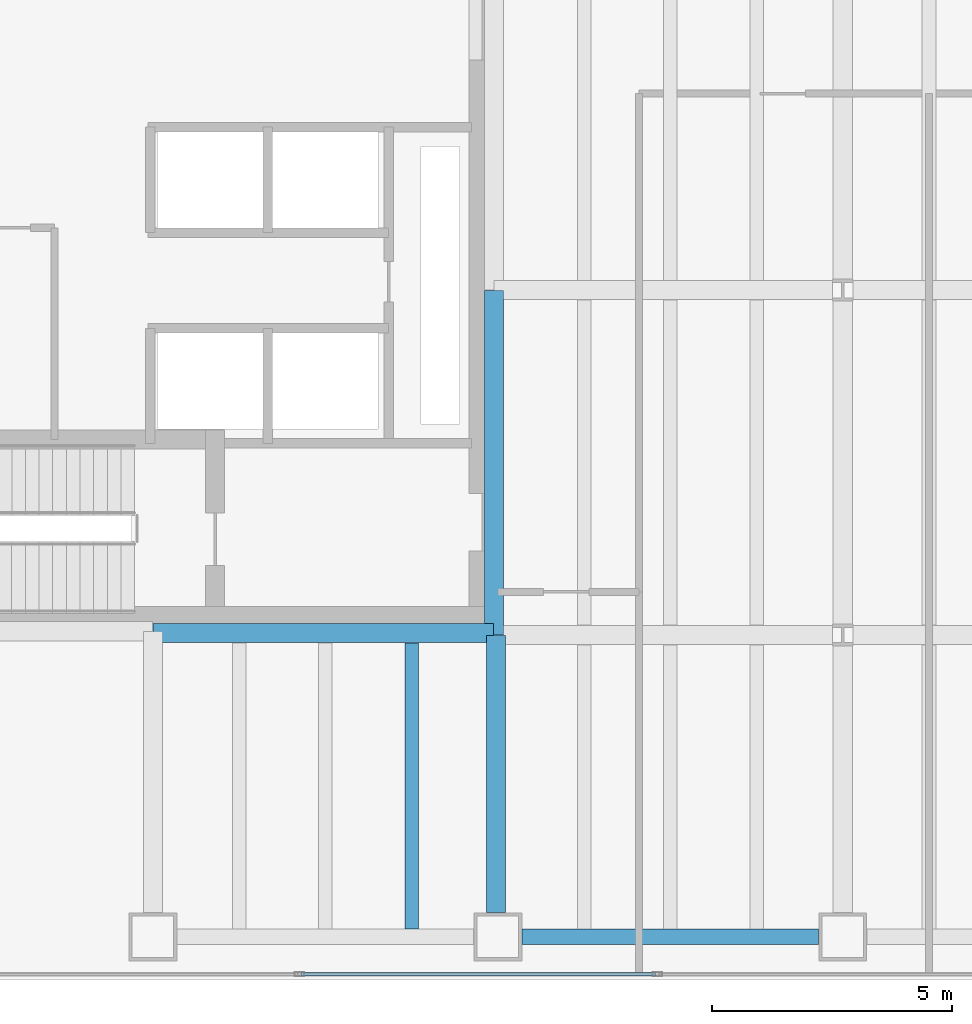
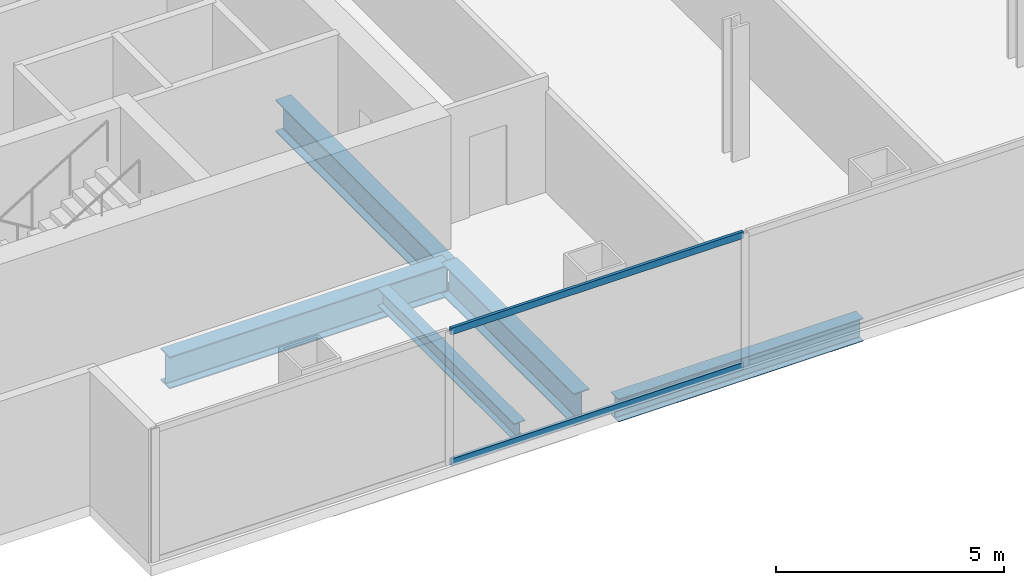
# One storey, part 3 of 23: 5 beams, 2 members, 1 element without a shape of its own.
"""IFC4 building model written with IfcOpenShell, lengths in metres."""

from ifc_helpers import new_model, si_unit, direction, frame, origin, origin_2d, place, context, subcontext, project, spatial, hollow_rectangle, i_section, extrude, material, material_profile, profile_set, type_object, element, aggregate, save


model = new_model("IFC4")

# Units and contexts
model_context = context("Model", 3, precision=1e-05, world=origin(), true_north=direction((0.0, 1.0)))
body_context = subcontext(model_context, "Body", "Model", "MODEL_VIEW")
ifc_project = project(units=[si_unit("LENGTHUNIT", "METRE"), si_unit("AREAUNIT", "SQUARE_METRE"), si_unit("VOLUMEUNIT", "CUBIC_METRE"), si_unit("PLANEANGLEUNIT", "RADIAN"), si_unit("MASSUNIT", "GRAM", prefix="KILO")], contexts=[model_context])

# Site, building, storey
site_placement = place(None, origin())
site = spatial("IfcSite", under=ifc_project, at=site_placement, CompositionType="ELEMENT")
building_placement = place(site_placement, origin())
building = spatial("IfcBuilding", under=site, at=building_placement, Name="Cobrela Telecom Tower", CompositionType="ELEMENT")
storey_placement = place(building_placement, frame((0.0, 0.0, 54.25)))
storey = spatial("IfcBuildingStorey", under=building, at=storey_placement, Name="L13", CompositionType="ELEMENT", Elevation=54.25)

# Beams
ifc_material_1 = material(Name="Steel ASTM A992 Grade 50", Category="steel")
ifc_material_profile_1 = material_profile(ifc_material_1, i_section(OverallWidth=0.39892578125, OverallDepth=0.85595703125, WebThickness=0.018310546875, FlangeThickness=0.029296875, FilletRadius=0.02001953125, at=origin_2d()), Name="W33X201")
ifc_profile_set_1 = profile_set([ifc_material_profile_1], Name="Steel ASTM A992 Grade 50")
beam_type_1 = type_object("IfcBeamType", Name="BM-GIRD-03", PredefinedType="USERDEFINED", material=ifc_profile_set_1)
beam_1_placement = place(storey_placement, frame((7.205078125, 7.239990234375, -0.7080078125), z_axis=(1.0, 0.0, 0.0), x_axis=(0.0, 1.0, 0.0)))
element("IfcBeam", 1, at=beam_1_placement, inside=storey, type_object=beam_type_1, Name="L13 Primary Girder X07", ObjectType="GIRDER", PredefinedType="USERDEFINED", context=body_context, shape_type="SweptSolid", body=[
    extrude(i_section(OverallWidth=0.39892578125, OverallDepth=0.85595703125, WebThickness=0.018310546875, FlangeThickness=0.029296875, FilletRadius=0.02001953125, at=origin_2d()), origin(), (0.0, 0.0, 1.0), 7.10986328125),
])
beam_2_placement = place(storey_placement, frame((14.360107421875, 1.405029296875, -0.7080078125), z_axis=(0.0, 1.0, 0.0), x_axis=(-1.0, 0.0, 0.0)))
element("IfcBeam", 2, at=beam_2_placement, inside=storey, type_object=beam_type_1, Name="L13 Primary Girder Y34", ObjectType="GIRDER", PredefinedType="USERDEFINED", context=body_context, shape_type="SweptSolid", body=[
    extrude(i_section(OverallWidth=0.39892578125, OverallDepth=0.85595703125, WebThickness=0.018310546875, FlangeThickness=0.029296875, FilletRadius=0.02001953125, at=origin_2d()), origin(), (0.0, 0.0, 1.0), 5.7900390625),
])
beam_3_placement = place(storey_placement, frame((14.320068359375, 7.205078125, -0.7080078125), z_axis=(0.0, 1.0, 0.0), x_axis=(-1.0, 0.0, 0.0)))
element("IfcBeam", 3, at=beam_3_placement, inside=storey, type_object=beam_type_1, Name="L13 Primary Girder Y35", ObjectType="GIRDER", PredefinedType="USERDEFINED", context=body_context, shape_type="SweptSolid", body=[
    extrude(i_section(OverallWidth=0.39892578125, OverallDepth=0.85595703125, WebThickness=0.018310546875, FlangeThickness=0.029296875, FilletRadius=0.02001953125, at=origin_2d()), origin(), (0.0, 0.0, 1.0), 7.18994140625),
])
ifc_material_profile_2 = material_profile(ifc_material_1, i_section(OverallWidth=0.281982421875, OverallDepth=0.467041015625, WebThickness=0.01220703125, FlangeThickness=0.01953125, FilletRadius=0.012939453125, at=origin_2d()), Name="W18X86")
ifc_profile_set_2 = profile_set([ifc_material_profile_2], Name="Steel ASTM A992 Grade 50")
beam_type_2 = type_object("IfcBeamType", Name="BM-JOIST-02", PredefinedType="JOIST", material=ifc_profile_set_2)
beam_4_placement = place(storey_placement, frame((12.60009765625, 1.0673828125, -0.513427734375), z_axis=(0.0, 1.0, 0.0), x_axis=(-1.0, 0.0, 0.0)))
element("IfcBeam", 4, at=beam_4_placement, inside=storey, type_object=beam_type_2, Name="L13 Secondary Composite Floor Beam J05", PredefinedType="JOIST", context=body_context, shape_type="SweptSolid", body=[
    extrude(i_section(OverallWidth=0.281982421875, OverallDepth=0.467041015625, WebThickness=0.01220703125, FlangeThickness=0.01953125, FilletRadius=0.012939453125, at=origin_2d()), origin(), (0.0, 0.0, 1.0), 5.968017578125),
])
ifc_material_profile_3 = material_profile(ifc_material_1, i_section(OverallWidth=0.324951171875, OverallDepth=0.612060546875, WebThickness=0.0126953125, FlangeThickness=0.01904296875, FilletRadius=0.014892578125, at=origin_2d()), Name="W24X104")
ifc_profile_set_3 = profile_set([ifc_material_profile_3], Name="Steel ASTM A992 Grade 50")
beam_type_3 = type_object("IfcBeamType", Name="BM-SPAND-02", PredefinedType="SPANDREL", material=ifc_profile_set_3)
beam_5_placement = place(storey_placement, frame((14.905029296875, 0.89990234375, -0.5859375), z_axis=(1.0, 0.0, 0.0), x_axis=(0.0, 1.0, 0.0)))
element("IfcBeam", 5, at=beam_5_placement, inside=storey, type_object=beam_type_3, Name="L13 Perimeter Spandrel X02", PredefinedType="SPANDREL", context=body_context, shape_type="SweptSolid", body=[
    extrude(i_section(OverallWidth=0.324951171875, OverallDepth=0.612060546875, WebThickness=0.0126953125, FlangeThickness=0.01904296875, FilletRadius=0.014892578125, at=origin_2d()), origin(), (0.0, 0.0, 1.0), 6.18994140625),
])

# Curtain wall, members
ifc_material_2 = material(Name="Anodized Bronze Aluminium 6063-T6", Category="aluminium")
curtain_wall_type = type_object("IfcCurtainWallType", Name="CW-SYS-DATA", PredefinedType="USERDEFINED", material=ifc_material_2)
curtain_wall_placement = place(storey_placement, origin())
curtain_wall = element("IfcCurtainWall", 6, at=curtain_wall_placement, inside=storey, type_object=curtain_wall_type, Name="L13 Unitised Bronze Curtain Wall 17", ObjectType="UNITISED CURTAIN WALL", PredefinedType="USERDEFINED")
ifc_material_profile_4 = material_profile(ifc_material_2, hollow_rectangle(XDim=0.074951171875, YDim=0.179931640625, WallThickness=0.00390625, at=origin_2d()), Name="ALU 75x180x4")
ifc_profile_set_4 = profile_set([ifc_material_profile_4], Name="Anodized Bronze Aluminium 6063-T6")
member_type = type_object("IfcMemberType", Name="CW-SYS-DATA-TRN", PredefinedType="USERDEFINED", material=ifc_profile_set_4)
member_1_placement = place(storey_placement, frame((17.68994140625, 0.1201171875, 0.03759765625), z_axis=(-1.0, 0.0, 0.0), x_axis=(0.0, -1.0, 0.0)))
member_1 = element("IfcMember", 7, at=member_1_placement, type_object=member_type, Name="CW-DATA transom 5.1", ObjectType="TRANSOM", PredefinedType="USERDEFINED", context=body_context, shape_type="SweptSolid", body=[
    extrude(hollow_rectangle(XDim=0.074951171875, YDim=0.179931640625, WallThickness=0.00390625, at=origin_2d()), origin(), (0.0, 0.0, 1.0), 7.389892578125),
])
member_2_placement = place(storey_placement, frame((17.68994140625, 0.1201171875, 3.532470703125), z_axis=(-1.0, 0.0, 0.0), x_axis=(0.0, -1.0, 0.0)))
member_2 = element("IfcMember", 8, at=member_2_placement, type_object=member_type, Name="CW-DATA transom 5.2", ObjectType="TRANSOM", PredefinedType="USERDEFINED", context=body_context, shape_type="SweptSolid", body=[
    extrude(hollow_rectangle(XDim=0.074951171875, YDim=0.179931640625, WallThickness=0.00390625, at=origin_2d()), origin(), (0.0, 0.0, 1.0), 7.389892578125),
])
aggregate(curtain_wall, [member_1, member_2])

save(model, "model.ifc")
